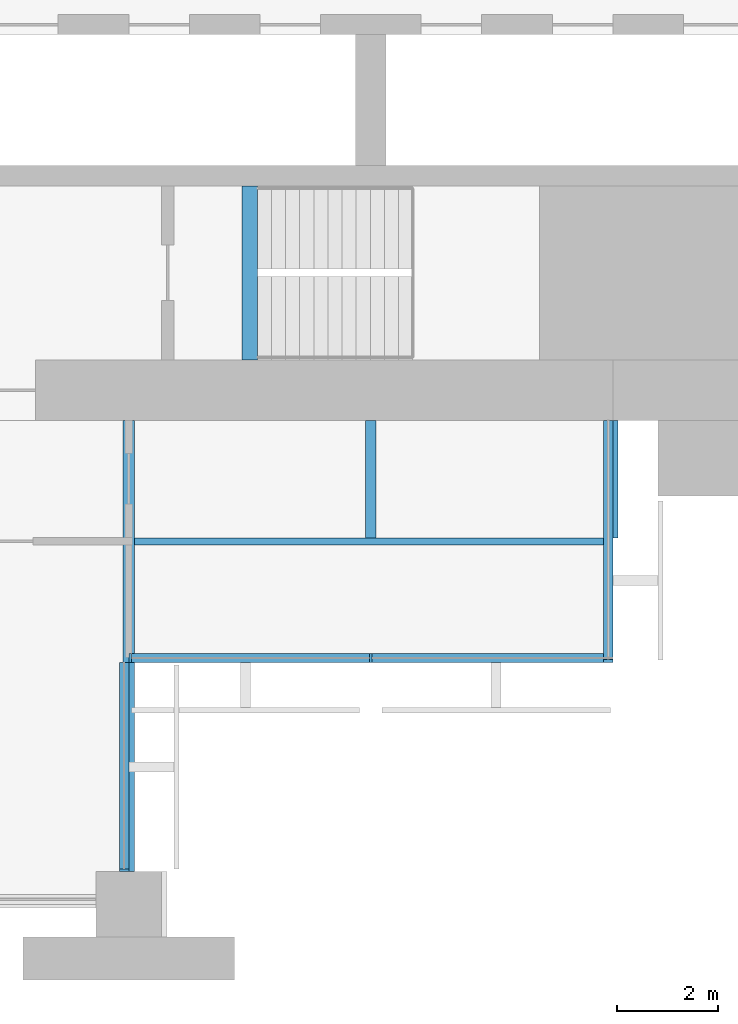
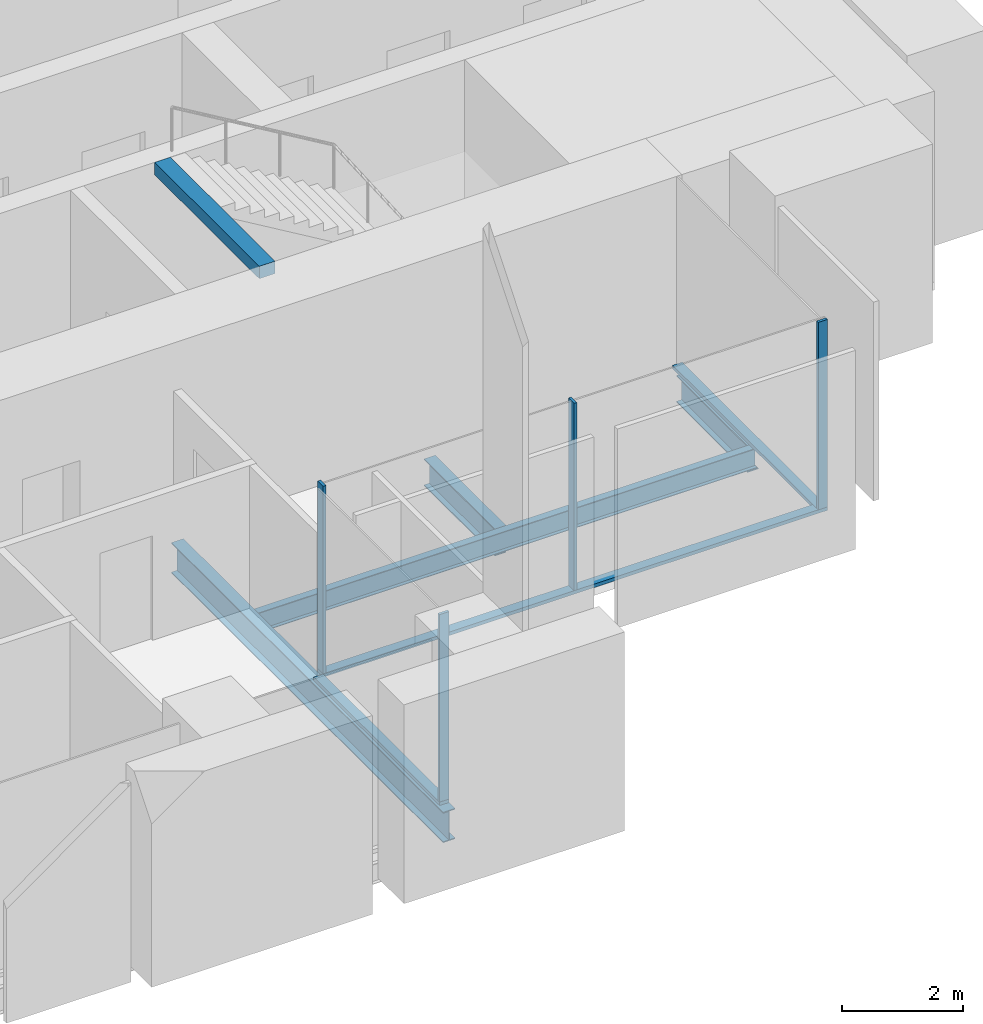
# One storey, part 4 of 14: 7 members, 5 beams, 3 elements without a shape of their own.
"""IFC4 building model written with IfcOpenShell, lengths in metres."""

from ifc_helpers import new_model, si_unit, direction, frame, origin, origin_2d, place, context, subcontext, project, spatial, rectangle, i_section, extrude, material, material_profile, profile_set, type_object, element, aggregate, save


model = new_model("IFC4")

# Units and contexts
model_context = context("Model", 3, precision=1e-05, world=origin(), true_north=direction((0.0, 1.0)))
body_context = subcontext(model_context, "Body", "Model", "MODEL_VIEW")
ifc_project = project(units=[si_unit("LENGTHUNIT", "METRE"), si_unit("AREAUNIT", "SQUARE_METRE"), si_unit("VOLUMEUNIT", "CUBIC_METRE"), si_unit("PLANEANGLEUNIT", "RADIAN"), si_unit("MASSUNIT", "GRAM", prefix="KILO")], contexts=[model_context])

# Site, building, storey
site_placement = place(None, origin())
site = spatial("IfcSite", under=ifc_project, at=site_placement, CompositionType="ELEMENT")
building_placement = place(site_placement, origin())
building = spatial("IfcBuilding", under=site, at=building_placement, Name="Baori Bourse Tower", CompositionType="ELEMENT")
storey_placement = place(building_placement, frame((0.0, 0.0, 63.0)))
storey = spatial("IfcBuildingStorey", under=building, at=storey_placement, Name="L13", CompositionType="ELEMENT", Elevation=63.0)

# Curtain wall, member
ifc_material_1 = material(Name="Pale anodised aluminium", Category="aluminium")
curtain_wall_type = type_object("IfcCurtainWallType", Name="CW2 Curtain wall", PredefinedType="NOTDEFINED", material=ifc_material_1)
curtain_wall_1_placement = place(storey_placement, origin())
curtain_wall_1 = element("IfcCurtainWall", 1, at=curtain_wall_1_placement, inside=storey, type_object=curtain_wall_type, Name="Curtain wall CW2 L13 12", PredefinedType="NOTDEFINED")
ifc_material_2 = material(Name="Pale anodised aluminium", Category="aluminium")
ifc_material_profile_1 = material_profile(ifc_material_2, rectangle(XDim=0.179931640625, YDim=0.054931640625, at=origin_2d()), Name="Mullion 55x180")
ifc_profile_set_1 = profile_set([ifc_material_profile_1], Name="Pale anodised aluminium")
member_type_1 = type_object("IfcMemberType", Name="CW2 Curtain wall mullion", PredefinedType="MULLION", material=ifc_profile_set_1)
member_1_placement = place(storey_placement, frame((43.110107421875, 0.677490234375, 0.070068359375), z_axis=(0.0, 0.0, 1.0), x_axis=(-1.0, 0.0, 0.0)))
member_1 = element("IfcMember", 2, at=member_1_placement, type_object=member_type_1, Name="Curtain wall CW2 mullion", PredefinedType="MULLION", context=body_context, shape_type="SweptSolid", body=[
    extrude(rectangle(XDim=0.179931640625, YDim=0.054931640625, at=origin_2d()), origin(), (0.0, 0.0, 1.0), 3.77001953125),
])

# Curtain wall, members
curtain_wall_2_placement = place(storey_placement, origin())
curtain_wall_2 = element("IfcCurtainWall", 3, at=curtain_wall_2_placement, inside=storey, type_object=curtain_wall_type, Name="Curtain wall CW2 L13 13", PredefinedType="NOTDEFINED")
member_2_placement = place(storey_placement, frame((43.2275390625, 4.889892578125, 0.070068359375), z_axis=(0.0, 0.0, 1.0), x_axis=(0.0, 1.0, 0.0)))
member_2 = element("IfcMember", 4, at=member_2_placement, type_object=member_type_1, Name="Curtain wall CW2 mullion", PredefinedType="MULLION", context=body_context, shape_type="SweptSolid", body=[
    extrude(rectangle(XDim=0.179931640625, YDim=0.054931640625, at=origin_2d()), origin(), (0.0, 0.0, 1.0), 3.77001953125),
])
member_3_placement = place(storey_placement, frame((48.0, 4.889892578125, 0.070068359375), z_axis=(0.0, 0.0, 1.0), x_axis=(0.0, 1.0, 0.0)))
member_3 = element("IfcMember", 5, at=member_3_placement, type_object=member_type_1, Name="Curtain wall CW2 mullion", PredefinedType="MULLION", context=body_context, shape_type="SweptSolid", body=[
    extrude(rectangle(XDim=0.179931640625, YDim=0.054931640625, at=origin_2d()), origin(), (0.0, 0.0, 1.0), 3.77001953125),
])

# Curtain wall, member
curtain_wall_3_placement = place(storey_placement, origin())
curtain_wall_3 = element("IfcCurtainWall", 6, at=curtain_wall_3_placement, inside=storey, type_object=curtain_wall_type, Name="Curtain wall CW2 L13 14", PredefinedType="NOTDEFINED")
member_4_placement = place(storey_placement, frame((52.7099609375, 4.827392578125, 0.070068359375), z_axis=(0.0, 0.0, 1.0), x_axis=(-1.0, 0.0, 0.0)))
member_4 = element("IfcMember", 7, at=member_4_placement, type_object=member_type_1, Name="Curtain wall CW2 mullion", PredefinedType="MULLION", context=body_context, shape_type="SweptSolid", body=[
    extrude(rectangle(XDim=0.179931640625, YDim=0.054931640625, at=origin_2d()), origin(), (0.0, 0.0, 1.0), 3.77001953125),
])

# Member
ifc_material_3 = material(Name="Pale anodised aluminium", Category="aluminium")
ifc_material_profile_2 = material_profile(ifc_material_3, rectangle(XDim=0.179931640625, YDim=0.070068359375, at=origin_2d()), Name="Transom 70x180")
ifc_profile_set_2 = profile_set([ifc_material_profile_2], Name="Pale anodised aluminium")
member_type_2 = type_object("IfcMemberType", Name="CW2 Curtain wall transom", PredefinedType="USERDEFINED", material=ifc_profile_set_2)
member_5_placement = place(storey_placement, frame((43.110107421875, 0.64990234375, 0.034912109375), z_axis=(0.0, 1.0, 0.0), x_axis=(-1.0, 0.0, 0.0)))
member_5 = element("IfcMember", 8, at=member_5_placement, type_object=member_type_2, Name="Curtain wall CW2 sill rail", ObjectType="TRANSOM", PredefinedType="USERDEFINED", context=body_context, shape_type="SweptSolid", body=[
    extrude(rectangle(XDim=0.179931640625, YDim=0.070068359375, at=origin_2d()), origin(), (0.0, 0.0, 1.0), 4.150146484375),
])

aggregate(curtain_wall_1, [member_5, member_1])

member_6_placement = place(storey_placement, frame((43.199951171875, 4.889892578125, 0.034912109375), z_axis=(1.0, 0.0, 0.0), x_axis=(0.0, 1.0, 0.0)))
member_6 = element("IfcMember", 9, at=member_6_placement, type_object=member_type_2, Name="Curtain wall CW2 sill rail", ObjectType="TRANSOM", PredefinedType="USERDEFINED", context=body_context, shape_type="SweptSolid", body=[
    extrude(rectangle(XDim=0.179931640625, YDim=0.070068359375, at=origin_2d()), origin(), (0.0, 0.0, 1.0), 9.60009765625),
])

aggregate(curtain_wall_2, [member_6, member_2, member_3])

member_7_placement = place(storey_placement, frame((52.7099609375, 4.800048828125, 0.034912109375), z_axis=(0.0, 1.0, 0.0), x_axis=(-1.0, 0.0, 0.0)))
member_7 = element("IfcMember", 10, at=member_7_placement, type_object=member_type_2, Name="Curtain wall CW2 sill rail", ObjectType="TRANSOM", PredefinedType="USERDEFINED", context=body_context, shape_type="SweptSolid", body=[
    extrude(rectangle(XDim=0.179931640625, YDim=0.070068359375, at=origin_2d()), origin(), (0.0, 0.0, 1.0), 4.800048828125),
])

aggregate(curtain_wall_3, [member_7, member_4])

# Beams
ifc_material_4 = material(Name="Steel A992 Gr 50", Category="steel")
ifc_material_profile_3 = material_profile(ifc_material_4, i_section(OverallWidth=0.21240234375, OverallDepth=0.54345703125, WebThickness=0.01318359375, FlangeThickness=0.021240234375, at=origin_2d()), Name="W21x83")
ifc_profile_set_3 = profile_set([ifc_material_profile_3], Name="Steel A992 Gr 50")
beam_type_1 = type_object("IfcBeamType", Name="Core bracket W21x83", PredefinedType="BEAM", material=ifc_profile_set_3)
for number, where, z_axis, x_axis, name in (
    (11, (48.0, 7.270263671875, -0.431884765625), (0.0, 1.0, 0.0), (-1.0, 0.0, 0.0), "Core bracket L13"),
    (12, (52.800048828125, 7.270263671875, -0.431884765625), (0.0, 1.0, 0.0), (-1.0, 0.0, 0.0), "Core bracket L13"),
):
    element("IfcBeam", number, at=place(storey_placement, frame(where, z_axis=z_axis, x_axis=x_axis)), inside=storey, type_object=beam_type_1, Name=name, PredefinedType="BEAM", context=body_context, shape_type="SweptSolid", body=[
        extrude(i_section(OverallWidth=0.21240234375, OverallDepth=0.54345703125, WebThickness=0.01318359375, FlangeThickness=0.021240234375, at=origin_2d()), origin(), (0.0, 0.0, 1.0), 2.329833984375),
    ])
ifc_material_5 = material(Name="Steel A992 Gr 50", Category="steel")
ifc_material_profile_4 = material_profile(ifc_material_5, i_section(OverallWidth=0.22900390625, OverallDepth=0.612060546875, WebThickness=0.011962890625, FlangeThickness=0.01953125, at=origin_2d()), Name="W24x84")
ifc_profile_set_4 = profile_set([ifc_material_profile_4], Name="Steel A992 Gr 50")
beam_type_2 = type_object("IfcBeamType", Name="Floor beam W24x84", PredefinedType="BEAM", material=ifc_profile_set_4)
beam_1_placement = place(storey_placement, frame((43.199951171875, 0.64990234375, -0.466064453125), z_axis=(0.0, 1.0, 0.0), x_axis=(-1.0, 0.0, 0.0)))
element("IfcBeam", 13, at=beam_1_placement, inside=storey, type_object=beam_type_2, Name="Floor beam L13", PredefinedType="BEAM", context=body_context, shape_type="SweptSolid", body=[
    extrude(i_section(OverallWidth=0.22900390625, OverallDepth=0.612060546875, WebThickness=0.011962890625, FlangeThickness=0.01953125, at=origin_2d()), origin(), (0.0, 0.0, 1.0), 8.9501953125),
])
ifc_material_6 = material(Name="Concrete f'c 50 MPa", Category="concrete")
ifc_material_profile_5 = material_profile(ifc_material_6, rectangle(XDim=0.300048828125, YDim=0.25, at=origin_2d()), Name="RC 300x250")
ifc_profile_set_5 = profile_set([ifc_material_profile_5], Name="Concrete f'c 50 MPa")
beam_type_3 = type_object("IfcBeamType", Name="Stair nib beam RC 300x250", PredefinedType="BEAM", material=ifc_profile_set_5)
beam_2_placement = place(storey_placement, frame((45.60009765625, 10.800048828125, 3.715087890625), z_axis=(0.0, 1.0, 0.0), x_axis=(-1.0, 0.0, 0.0)))
element("IfcBeam", 14, at=beam_2_placement, inside=storey, type_object=beam_type_3, Name="Stair EA nib beam L14", PredefinedType="BEAM", context=body_context, shape_type="SweptSolid", body=[
    extrude(rectangle(XDim=0.300048828125, YDim=0.25, at=origin_2d()), origin(), (0.0, 0.0, 1.0), 3.449951171875),
])
ifc_material_7 = material(Name="Steel A992 Gr 50", Category="steel")
ifc_material_profile_6 = material_profile(ifc_material_7, i_section(OverallWidth=0.140380859375, OverallDepth=0.40380859375, WebThickness=0.007080078125, FlangeThickness=0.01123046875, at=origin_2d()), Name="W16x31")
ifc_profile_set_6 = profile_set([ifc_material_profile_6], Name="Steel A992 Gr 50")
beam_type_4 = type_object("IfcBeamType", Name="Trimmer beam W16x31", PredefinedType="BEAM", material=ifc_profile_set_6)
beam_3_placement = place(storey_placement, frame((43.314453125, 7.199951171875, -0.36181640625), z_axis=(1.0, 0.0, 0.0), x_axis=(0.0, 1.0, 0.0)))
element("IfcBeam", 15, at=beam_3_placement, inside=storey, type_object=beam_type_4, Name="Trimmer beam L13", PredefinedType="BEAM", context=body_context, shape_type="SweptSolid", body=[
    extrude(i_section(OverallWidth=0.140380859375, OverallDepth=0.40380859375, WebThickness=0.007080078125, FlangeThickness=0.01123046875, at=origin_2d()), origin(), (0.0, 0.0, 1.0), 9.485595703125),
])

save(model, "model.ifc")
